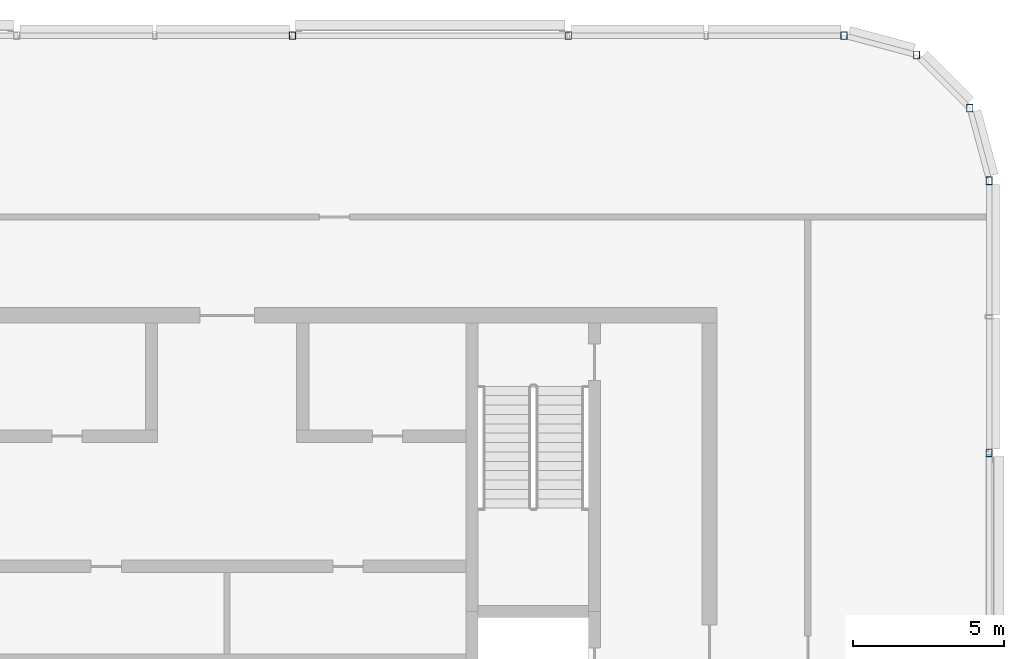
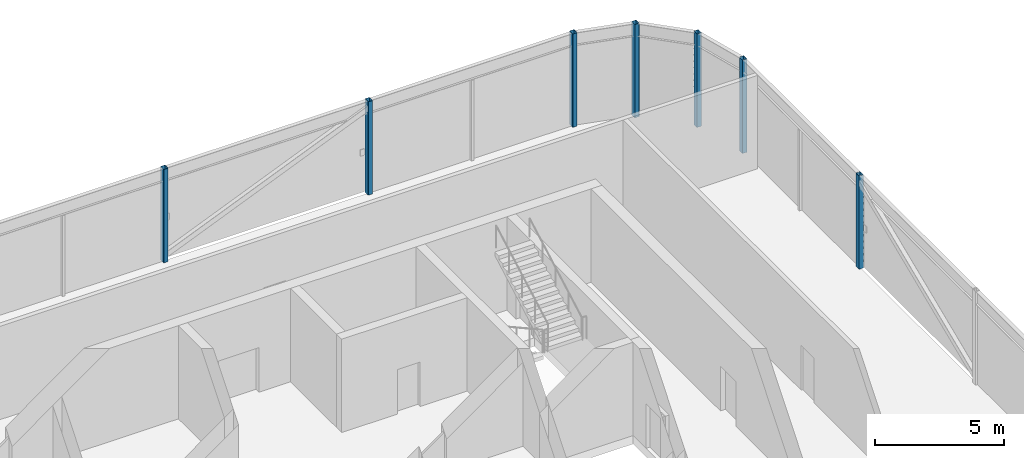
# One storey, part 4 of 27: 7 columns.
"""IFC4 building model written with IfcOpenShell, lengths in metres."""

from ifc_helpers import new_model, si_unit, direction, frame, origin, origin_2d, place, context, subcontext, project, spatial, hollow_rectangle, extrude, material, material_profile, profile_set, type_object, element, save


model = new_model("IFC4")

# Units and contexts
model_context = context("Model", 3, precision=1e-05, world=origin(), true_north=direction((0.0, 1.0)))
body_context = subcontext(model_context, "Body", "Model", "MODEL_VIEW")
ifc_project = project(units=[si_unit("LENGTHUNIT", "METRE"), si_unit("AREAUNIT", "SQUARE_METRE"), si_unit("VOLUMEUNIT", "CUBIC_METRE"), si_unit("PLANEANGLEUNIT", "RADIAN"), si_unit("MASSUNIT", "GRAM", prefix="KILO")], contexts=[model_context])

# Site, building, storey
site_placement = place(None, origin())
site = spatial("IfcSite", under=ifc_project, at=site_placement, CompositionType="ELEMENT")
building_placement = place(site_placement, origin())
building = spatial("IfcBuilding", under=site, at=building_placement, Name="Madar Terraces", CompositionType="ELEMENT")
storey_placement = place(building_placement, frame((0.0, 0.0, 301.10009765625)))
storey = spatial("IfcBuildingStorey", under=building, at=storey_placement, Name="L78", CompositionType="ELEMENT", Elevation=301.10009765625)

# Columns
ifc_material = material(Name="Steel ASTM A500 Grade C", Category="steel")
ifc_material_profile = material_profile(ifc_material, hollow_rectangle(XDim=0.203125, YDim=0.25390625, WallThickness=0.009521484375, InnerFilletRadius=0.00439453125, OuterFilletRadius=0.01318359375, at=origin_2d()), Name="HSS10x8x.375")
ifc_profile_set = profile_set([ifc_material_profile], Name="Steel ASTM A500 Grade C")
column_type = type_object("IfcColumnType", Name="CF1 HSS10x8x.375", PredefinedType="COLUMN", material=ifc_profile_set)
for number, where, z_axis, x_axis, name in (
    (1, (56.39990234375, 33.0, 0.0), (0.0, 0.0, 1.0), (1.0, 0.0, 0.0), "Crown frame column CF1"),
    (2, (56.39990234375, 42.0, 0.0), (0.0, 0.0, 1.0), (1.0, 0.0, 0.0), "Crown frame column CF1"),
    (3, (55.7568359375, 44.39990234375, 0.0), (0.0, 0.0, 1.0), (1.0, 0.0, 0.0), "Crown frame column CF1"),
    (4, (54.0, 46.156982421875, 0.0), (0.0, 0.0, 1.0), (1.0, 0.0, 0.0), "Crown frame column CF1"),
    (5, (51.60009765625, 46.800048828125, 0.0), (0.0, 0.0, 1.0), (1.0, 0.0, 0.0), "Crown frame column CF1"),
    (6, (42.47998046875, 46.800048828125, 0.0), (0.0, 0.0, 1.0), (1.0, 0.0, 0.0), "Crown frame column CF1"),
    (7, (33.360107421875, 46.800048828125, 0.0), (0.0, 0.0, 1.0), (1.0, 0.0, 0.0), "Crown frame column CF1"),
):
    element("IfcColumn", number, at=place(storey_placement, frame(where, z_axis=z_axis, x_axis=x_axis)), inside=storey, type_object=column_type, Name=name, PredefinedType="COLUMN", context=body_context, shape_type="SweptSolid", body=[
        extrude(hollow_rectangle(XDim=0.203125, YDim=0.25390625, WallThickness=0.009521484375, InnerFilletRadius=0.00439453125, OuterFilletRadius=0.01318359375, at=origin_2d()), origin(), (0.0, 0.0, 1.0), 4.39990234375),
    ])

save(model, "model.ifc")
